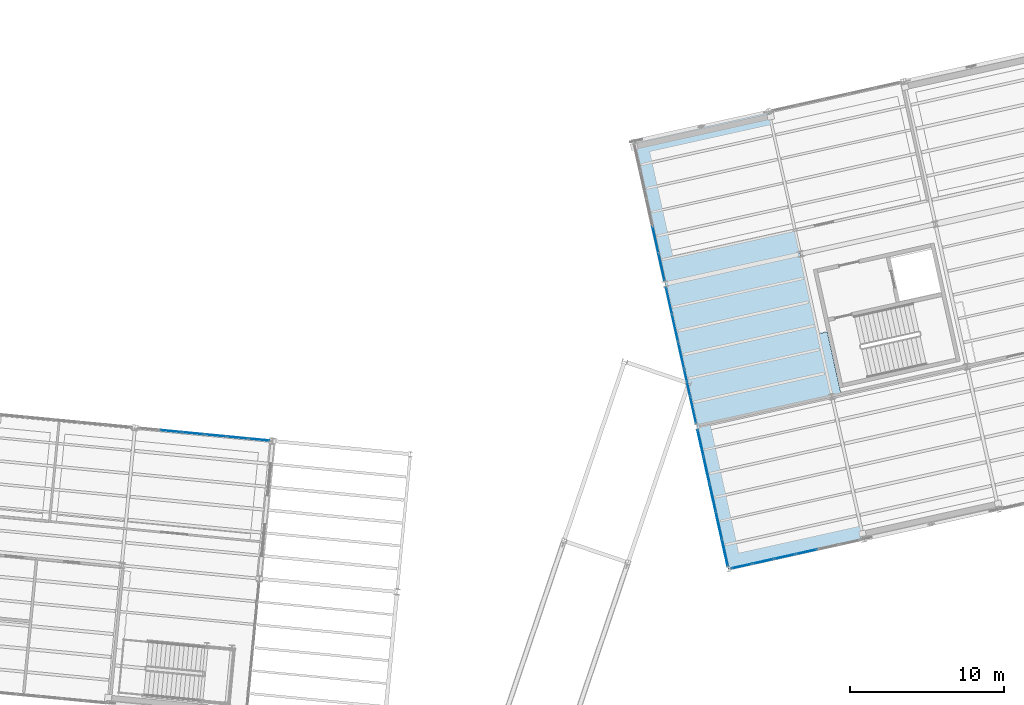
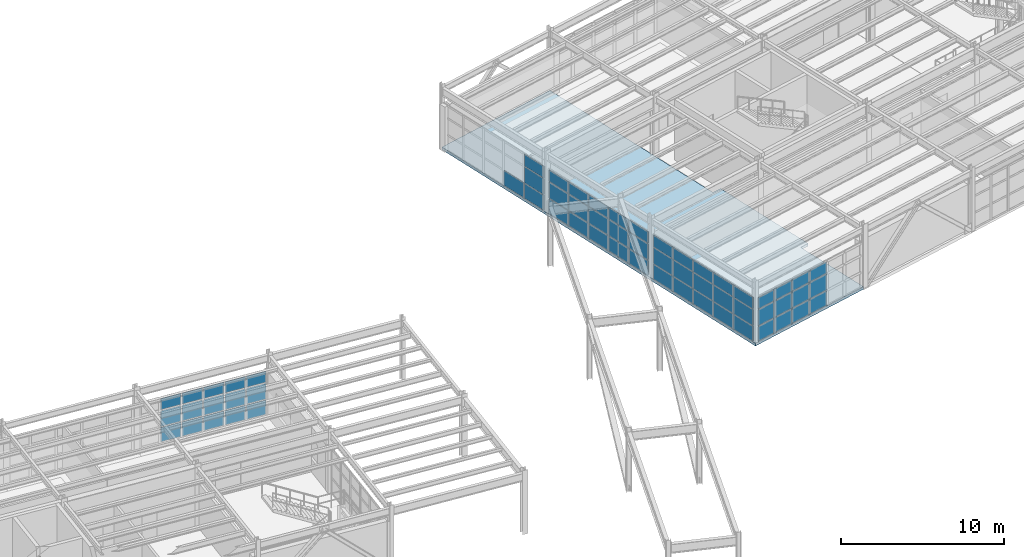
# One storey, part 72 of 109: 61 plates, 1 slab, 5 elements without a shape of their own.
"""IFC4 building model written with IfcOpenShell, lengths in metres."""

from ifc_helpers import new_model, si_unit, direction, frame, origin, origin_2d, place, context, subcontext, project, spatial, polyline, rectangle, outline, extrude, material, layer, layer_set, type_object, element, aggregate, save


model = new_model("IFC4")

# Units and contexts
model_context = context("Model", 3, precision=1e-05, world=origin(), true_north=direction((0.0, 1.0)))
body_context = subcontext(model_context, "Body", "Model", "MODEL_VIEW")
ifc_project = project(units=[si_unit("LENGTHUNIT", "METRE"), si_unit("AREAUNIT", "SQUARE_METRE"), si_unit("VOLUMEUNIT", "CUBIC_METRE"), si_unit("PLANEANGLEUNIT", "RADIAN"), si_unit("MASSUNIT", "GRAM", prefix="KILO")], contexts=[model_context])

# Site, building, storey
site_placement = place(None, origin())
site = spatial("IfcSite", under=ifc_project, at=site_placement, CompositionType="ELEMENT")
building_placement = place(site_placement, origin())
building = spatial("IfcBuilding", under=site, at=building_placement, Name="Vireo Bluff Cable Station", CompositionType="ELEMENT")
storey_placement = place(building_placement, frame((0.0, 0.0, 4.800048828125)))
storey = spatial("IfcBuildingStorey", under=building, at=storey_placement, Name="L01", CompositionType="ELEMENT", Elevation=4.800048828125)

# Curtain wall, plates
ifc_material_1 = material(Name="Anodized Aluminium 6063-T6", Category="aluminium")
ifc_layer_1 = layer(ifc_material_1, 0.159912109375, Name="Anodized Aluminium 6063-T6")
ifc_layer_set_1 = layer_set([ifc_layer_1], Name="Anodized Aluminium 6063-T6")
curtain_wall_type_1 = type_object("IfcCurtainWallType", Name="CW-STICK-1850", PredefinedType="USERDEFINED", material=ifc_layer_set_1)
curtain_wall_1_placement = place(storey_placement, origin())
curtain_wall_1 = element("IfcCurtainWall", 1, at=curtain_wall_1_placement, inside=storey, type_object=curtain_wall_type_1, Name="V2 L01 west curtain wall CW-045", ObjectType="STICK CURTAIN WALL", PredefinedType="USERDEFINED")
ifc_material_2 = material(Name="Laminated Low-E Insulated Glass", Category="glass")
ifc_layer_2 = layer(ifc_material_2, 0.028076171875, Name="Laminated Low-E Insulated Glass")
ifc_layer_set_2 = layer_set([ifc_layer_2], Name="Laminated Low-E Insulated Glass")
plate_type_1 = type_object("IfcPlateType", Name="CWP-28-1", PredefinedType="CURTAIN_PANEL", material=ifc_layer_set_2)
plate_1_placement = place(storey_placement, frame((123.702392578125, 84.364013671875, 0.0751953125), z_axis=(0.0, 0.0, 1.0), x_axis=(-0.21643964725, 0.976295999735, 0.0)))
plate_1 = element("IfcPlate", 2, at=plate_1_placement, type_object=plate_type_1, Name="CW-045 panel 1.1", PredefinedType="CURTAIN_PANEL", context=body_context, shape_type="SweptSolid", body=[
    extrude(rectangle(XDim=1.71435546875, YDim=0.028076171875, at=origin_2d()), origin(), (0.0, 0.0, 1.0), 1.077392578125),
])
plate_2_placement = place(storey_placement, frame((123.702392578125, 84.364013671875, 1.227294921875), z_axis=(0.0, 0.0, 1.0), x_axis=(-0.21643964725, 0.976295999735, 0.0)))
plate_2 = element("IfcPlate", 3, at=plate_2_placement, type_object=plate_type_1, Name="CW-045 panel 1.2", PredefinedType="CURTAIN_PANEL", context=body_context, shape_type="SweptSolid", body=[
    extrude(rectangle(XDim=1.71435546875, YDim=0.028076171875, at=origin_2d()), origin(), (0.0, 0.0, 1.0), 1.18310546875),
])
plate_3_placement = place(storey_placement, frame((123.702392578125, 84.364013671875, 2.4853515625), z_axis=(0.0, 0.0, 1.0), x_axis=(-0.21643964725, 0.976295999735, 0.0)))
plate_3 = element("IfcPlate", 4, at=plate_3_placement, type_object=plate_type_1, Name="CW-045 panel 1.3", PredefinedType="CURTAIN_PANEL", context=body_context, shape_type="SweptSolid", body=[
    extrude(rectangle(XDim=1.71435546875, YDim=0.028076171875, at=origin_2d()), origin(), (0.0, 0.0, 1.0), 0.839599609375),
])
plate_4_placement = place(storey_placement, frame((123.31103515625, 86.12939453125, 0.0751953125), z_axis=(0.0, 0.0, 1.0), x_axis=(-0.21643964725, 0.976295999735, 0.0)))
plate_4 = element("IfcPlate", 5, at=plate_4_placement, type_object=plate_type_1, Name="CW-045 panel 2.1", PredefinedType="CURTAIN_PANEL", context=body_context, shape_type="SweptSolid", body=[
    extrude(rectangle(XDim=1.751953125, YDim=0.028076171875, at=origin_2d()), origin(), (0.0, 0.0, 1.0), 1.077392578125),
])
plate_5_placement = place(storey_placement, frame((123.31103515625, 86.12939453125, 1.227294921875), z_axis=(0.0, 0.0, 1.0), x_axis=(-0.21643964725, 0.976295999735, 0.0)))
plate_5 = element("IfcPlate", 6, at=plate_5_placement, type_object=plate_type_1, Name="CW-045 panel 2.2", PredefinedType="CURTAIN_PANEL", context=body_context, shape_type="SweptSolid", body=[
    extrude(rectangle(XDim=1.751953125, YDim=0.028076171875, at=origin_2d()), origin(), (0.0, 0.0, 1.0), 1.18310546875),
])
plate_6_placement = place(storey_placement, frame((123.31103515625, 86.12939453125, 2.4853515625), z_axis=(0.0, 0.0, 1.0), x_axis=(-0.21643964725, 0.976295999735, 0.0)))
plate_6 = element("IfcPlate", 7, at=plate_6_placement, type_object=plate_type_1, Name="CW-045 panel 2.3", PredefinedType="CURTAIN_PANEL", context=body_context, shape_type="SweptSolid", body=[
    extrude(rectangle(XDim=1.751953125, YDim=0.028076171875, at=origin_2d()), origin(), (0.0, 0.0, 1.0), 0.839599609375),
])
plate_7_placement = place(storey_placement, frame((122.91552734375, 87.912841796875, 0.0751953125), z_axis=(0.0, 0.0, 1.0), x_axis=(-0.21643964725, 0.976295999735, 0.0)))
plate_7 = element("IfcPlate", 8, at=plate_7_placement, type_object=plate_type_1, Name="CW-045 panel 3.1", PredefinedType="CURTAIN_PANEL", context=body_context, shape_type="SweptSolid", body=[
    extrude(rectangle(XDim=1.751953125, YDim=0.028076171875, at=origin_2d()), origin(), (0.0, 0.0, 1.0), 1.077392578125),
])
plate_8_placement = place(storey_placement, frame((122.91552734375, 87.912841796875, 1.227294921875), z_axis=(0.0, 0.0, 1.0), x_axis=(-0.21643964725, 0.976295999735, 0.0)))
plate_8 = element("IfcPlate", 9, at=plate_8_placement, type_object=plate_type_1, Name="CW-045 panel 3.2", PredefinedType="CURTAIN_PANEL", context=body_context, shape_type="SweptSolid", body=[
    extrude(rectangle(XDim=1.751953125, YDim=0.028076171875, at=origin_2d()), origin(), (0.0, 0.0, 1.0), 1.18310546875),
])
plate_9_placement = place(storey_placement, frame((122.91552734375, 87.912841796875, 2.4853515625), z_axis=(0.0, 0.0, 1.0), x_axis=(-0.21643964725, 0.976295999735, 0.0)))
plate_9 = element("IfcPlate", 10, at=plate_9_placement, type_object=plate_type_1, Name="CW-045 panel 3.3", PredefinedType="CURTAIN_PANEL", context=body_context, shape_type="SweptSolid", body=[
    extrude(rectangle(XDim=1.751953125, YDim=0.028076171875, at=origin_2d()), origin(), (0.0, 0.0, 1.0), 0.839599609375),
])
plate_10_placement = place(storey_placement, frame((122.520263671875, 89.696533203125, 0.0751953125), z_axis=(0.0, 0.0, 1.0), x_axis=(-0.21643964725, 0.976295999735, 0.0)))
plate_10 = element("IfcPlate", 11, at=plate_10_placement, type_object=plate_type_1, Name="CW-045 panel 4.1", PredefinedType="CURTAIN_PANEL", context=body_context, shape_type="SweptSolid", body=[
    extrude(rectangle(XDim=1.751953125, YDim=0.028076171875, at=origin_2d()), origin(), (0.0, 0.0, 1.0), 1.077392578125),
])
plate_11_placement = place(storey_placement, frame((122.520263671875, 89.696533203125, 1.227294921875), z_axis=(0.0, 0.0, 1.0), x_axis=(-0.21643964725, 0.976295999735, 0.0)))
plate_11 = element("IfcPlate", 12, at=plate_11_placement, type_object=plate_type_1, Name="CW-045 panel 4.2", PredefinedType="CURTAIN_PANEL", context=body_context, shape_type="SweptSolid", body=[
    extrude(rectangle(XDim=1.751953125, YDim=0.028076171875, at=origin_2d()), origin(), (0.0, 0.0, 1.0), 1.18310546875),
])
plate_12_placement = place(storey_placement, frame((122.520263671875, 89.696533203125, 2.4853515625), z_axis=(0.0, 0.0, 1.0), x_axis=(-0.21643964725, 0.976295999735, 0.0)))
plate_12 = element("IfcPlate", 13, at=plate_12_placement, type_object=plate_type_1, Name="CW-045 panel 4.3", PredefinedType="CURTAIN_PANEL", context=body_context, shape_type="SweptSolid", body=[
    extrude(rectangle(XDim=1.751953125, YDim=0.028076171875, at=origin_2d()), origin(), (0.0, 0.0, 1.0), 0.839599609375),
])
plate_13_placement = place(storey_placement, frame((122.12890625, 91.4619140625, 0.0751953125), z_axis=(0.0, 0.0, 1.0), x_axis=(-0.21643964725, 0.976295999735, 0.0)))
plate_13 = element("IfcPlate", 14, at=plate_13_placement, type_object=plate_type_1, Name="CW-045 panel 5.1", PredefinedType="CURTAIN_PANEL", context=body_context, shape_type="SweptSolid", body=[
    extrude(rectangle(XDim=1.71435546875, YDim=0.028076171875, at=origin_2d()), origin(), (0.0, 0.0, 1.0), 1.077392578125),
])
plate_14_placement = place(storey_placement, frame((122.12890625, 91.4619140625, 1.227294921875), z_axis=(0.0, 0.0, 1.0), x_axis=(-0.21643964725, 0.976295999735, 0.0)))
plate_14 = element("IfcPlate", 15, at=plate_14_placement, type_object=plate_type_1, Name="CW-045 panel 5.2", PredefinedType="CURTAIN_PANEL", context=body_context, shape_type="SweptSolid", body=[
    extrude(rectangle(XDim=1.71435546875, YDim=0.028076171875, at=origin_2d()), origin(), (0.0, 0.0, 1.0), 1.18310546875),
])
plate_15_placement = place(storey_placement, frame((122.12890625, 91.4619140625, 2.4853515625), z_axis=(0.0, 0.0, 1.0), x_axis=(-0.21643964725, 0.976295999735, 0.0)))
plate_15 = element("IfcPlate", 16, at=plate_15_placement, type_object=plate_type_1, Name="CW-045 panel 5.3", PredefinedType="CURTAIN_PANEL", context=body_context, shape_type="SweptSolid", body=[
    extrude(rectangle(XDim=1.71435546875, YDim=0.028076171875, at=origin_2d()), origin(), (0.0, 0.0, 1.0), 0.839599609375),
])
aggregate(curtain_wall_1, [plate_1, plate_2, plate_3, plate_4, plate_5, plate_6, plate_7, plate_8, plate_9, plate_10, plate_11, plate_12, plate_13, plate_14, plate_15])

ifc_layer_3 = layer(ifc_material_1, 0.179931640625, Name="Anodized Aluminium 6063-T6")
ifc_layer_set_3 = layer_set([ifc_layer_3], Name="Anodized Aluminium 6063-T6")
curtain_wall_type_2 = type_object("IfcCurtainWallType", Name="CW-UNIT-1400", PredefinedType="USERDEFINED", material=ifc_layer_set_3)
curtain_wall_2_placement = place(storey_placement, origin())
curtain_wall_2 = element("IfcCurtainWall", 17, at=curtain_wall_2_placement, inside=storey, type_object=curtain_wall_type_2, Name="V3 L01 north curtain wall CW-075", ObjectType="UNITISED CURTAIN WALL", PredefinedType="USERDEFINED")
plate_16_placement = place(storey_placement, frame((89.727294921875, 82.9697265625, 0.080078125), z_axis=(0.0, 0.0, 1.0), x_axis=(0.995396195058, -0.095845786884, 0.0)))
plate_16 = element("IfcPlate", 18, at=plate_16_placement, type_object=plate_type_1, Name="CW-075 panel 2.1", PredefinedType="CURTAIN_PANEL", context=body_context, shape_type="SweptSolid", body=[
    extrude(rectangle(XDim=1.3671875, YDim=0.028076171875, at=origin_2d()), origin(), (0.0, 0.0, 1.0), 1.070068359375),
])
plate_17_placement = place(storey_placement, frame((89.727294921875, 82.9697265625, 1.22998046875), z_axis=(0.0, 0.0, 1.0), x_axis=(0.995396195058, -0.095845786884, 0.0)))
plate_17 = element("IfcPlate", 19, at=plate_17_placement, type_object=plate_type_1, Name="CW-075 panel 2.2", PredefinedType="CURTAIN_PANEL", context=body_context, shape_type="SweptSolid", body=[
    extrude(rectangle(XDim=1.3671875, YDim=0.028076171875, at=origin_2d()), origin(), (0.0, 0.0, 1.0), 1.177978515625),
])
plate_18_placement = place(storey_placement, frame((89.727294921875, 82.9697265625, 2.488037109375), z_axis=(0.0, 0.0, 1.0), x_axis=(0.995396195058, -0.095845786884, 0.0)))
plate_18 = element("IfcPlate", 20, at=plate_18_placement, type_object=plate_type_1, Name="CW-075 panel 2.3", PredefinedType="CURTAIN_PANEL", context=body_context, shape_type="SweptSolid", body=[
    extrude(rectangle(XDim=1.3671875, YDim=0.028076171875, at=origin_2d()), origin(), (0.0, 0.0, 1.0), 0.83203125),
])
plate_19_placement = place(storey_placement, frame((91.167724609375, 82.8310546875, 0.080078125), z_axis=(0.0, 0.0, 1.0), x_axis=(0.995396195058, -0.095845786884, 0.0)))
plate_19 = element("IfcPlate", 21, at=plate_19_placement, type_object=plate_type_1, Name="CW-075 panel 3.1", PredefinedType="CURTAIN_PANEL", context=body_context, shape_type="SweptSolid", body=[
    extrude(rectangle(XDim=1.3671875, YDim=0.028076171875, at=origin_2d()), origin(), (0.0, 0.0, 1.0), 1.070068359375),
])
plate_20_placement = place(storey_placement, frame((91.167724609375, 82.8310546875, 1.22998046875), z_axis=(0.0, 0.0, 1.0), x_axis=(0.995396195058, -0.095845786884, 0.0)))
plate_20 = element("IfcPlate", 22, at=plate_20_placement, type_object=plate_type_1, Name="CW-075 panel 3.2", PredefinedType="CURTAIN_PANEL", context=body_context, shape_type="SweptSolid", body=[
    extrude(rectangle(XDim=1.3671875, YDim=0.028076171875, at=origin_2d()), origin(), (0.0, 0.0, 1.0), 1.177978515625),
])
plate_21_placement = place(storey_placement, frame((91.167724609375, 82.8310546875, 2.488037109375), z_axis=(0.0, 0.0, 1.0), x_axis=(0.995396195058, -0.095845786884, 0.0)))
plate_21 = element("IfcPlate", 23, at=plate_21_placement, type_object=plate_type_1, Name="CW-075 panel 3.3", PredefinedType="CURTAIN_PANEL", context=body_context, shape_type="SweptSolid", body=[
    extrude(rectangle(XDim=1.3671875, YDim=0.028076171875, at=origin_2d()), origin(), (0.0, 0.0, 1.0), 0.83203125),
])
plate_22_placement = place(storey_placement, frame((92.608154296875, 82.6923828125, 0.080078125), z_axis=(0.0, 0.0, 1.0), x_axis=(0.995396195058, -0.095845786884, 0.0)))
plate_22 = element("IfcPlate", 24, at=plate_22_placement, type_object=plate_type_1, Name="CW-075 panel 4.1", PredefinedType="CURTAIN_PANEL", context=body_context, shape_type="SweptSolid", body=[
    extrude(rectangle(XDim=1.3671875, YDim=0.028076171875, at=origin_2d()), origin(), (0.0, 0.0, 1.0), 1.070068359375),
])
plate_23_placement = place(storey_placement, frame((92.608154296875, 82.6923828125, 1.22998046875), z_axis=(0.0, 0.0, 1.0), x_axis=(0.995396195058, -0.095845786884, 0.0)))
plate_23 = element("IfcPlate", 25, at=plate_23_placement, type_object=plate_type_1, Name="CW-075 panel 4.2", PredefinedType="CURTAIN_PANEL", context=body_context, shape_type="SweptSolid", body=[
    extrude(rectangle(XDim=1.3671875, YDim=0.028076171875, at=origin_2d()), origin(), (0.0, 0.0, 1.0), 1.177978515625),
])
plate_24_placement = place(storey_placement, frame((92.608154296875, 82.6923828125, 2.488037109375), z_axis=(0.0, 0.0, 1.0), x_axis=(0.995396195058, -0.095845786884, 0.0)))
plate_24 = element("IfcPlate", 26, at=plate_24_placement, type_object=plate_type_1, Name="CW-075 panel 4.3", PredefinedType="CURTAIN_PANEL", context=body_context, shape_type="SweptSolid", body=[
    extrude(rectangle(XDim=1.3671875, YDim=0.028076171875, at=origin_2d()), origin(), (0.0, 0.0, 1.0), 0.83203125),
])
plate_25_placement = place(storey_placement, frame((94.048583984375, 82.5537109375, 0.080078125), z_axis=(0.0, 0.0, 1.0), x_axis=(0.995396195058, -0.095845786884, 0.0)))
plate_25 = element("IfcPlate", 27, at=plate_25_placement, type_object=plate_type_1, Name="CW-075 panel 5.1", PredefinedType="CURTAIN_PANEL", context=body_context, shape_type="SweptSolid", body=[
    extrude(rectangle(XDim=1.3671875, YDim=0.028076171875, at=origin_2d()), origin(), (0.0, 0.0, 1.0), 1.070068359375),
])
plate_26_placement = place(storey_placement, frame((94.048583984375, 82.5537109375, 1.22998046875), z_axis=(0.0, 0.0, 1.0), x_axis=(0.995396195058, -0.095845786884, 0.0)))
plate_26 = element("IfcPlate", 28, at=plate_26_placement, type_object=plate_type_1, Name="CW-075 panel 5.2", PredefinedType="CURTAIN_PANEL", context=body_context, shape_type="SweptSolid", body=[
    extrude(rectangle(XDim=1.3671875, YDim=0.028076171875, at=origin_2d()), origin(), (0.0, 0.0, 1.0), 1.177978515625),
])
plate_27_placement = place(storey_placement, frame((94.048583984375, 82.5537109375, 2.488037109375), z_axis=(0.0, 0.0, 1.0), x_axis=(0.995396195058, -0.095845786884, 0.0)))
plate_27 = element("IfcPlate", 29, at=plate_27_placement, type_object=plate_type_1, Name="CW-075 panel 5.3", PredefinedType="CURTAIN_PANEL", context=body_context, shape_type="SweptSolid", body=[
    extrude(rectangle(XDim=1.3671875, YDim=0.028076171875, at=origin_2d()), origin(), (0.0, 0.0, 1.0), 0.83203125),
])
plate_28_placement = place(storey_placement, frame((95.468994140625, 82.4169921875, 0.080078125), z_axis=(0.0, 0.0, 1.0), x_axis=(0.995396195058, -0.095845786884, 0.0)))
plate_28 = element("IfcPlate", 30, at=plate_28_placement, type_object=plate_type_1, Name="CW-075 panel 6.1", PredefinedType="CURTAIN_PANEL", context=body_context, shape_type="SweptSolid", body=[
    extrude(rectangle(XDim=1.3271484375, YDim=0.028076171875, at=origin_2d()), origin(), (0.0, 0.0, 1.0), 1.070068359375),
])
plate_29_placement = place(storey_placement, frame((95.468994140625, 82.4169921875, 1.22998046875), z_axis=(0.0, 0.0, 1.0), x_axis=(0.995396195058, -0.095845786884, 0.0)))
plate_29 = element("IfcPlate", 31, at=plate_29_placement, type_object=plate_type_1, Name="CW-075 panel 6.2", PredefinedType="CURTAIN_PANEL", context=body_context, shape_type="SweptSolid", body=[
    extrude(rectangle(XDim=1.3271484375, YDim=0.028076171875, at=origin_2d()), origin(), (0.0, 0.0, 1.0), 1.177978515625),
])
plate_30_placement = place(storey_placement, frame((95.468994140625, 82.4169921875, 2.488037109375), z_axis=(0.0, 0.0, 1.0), x_axis=(0.995396195058, -0.095845786884, 0.0)))
plate_30 = element("IfcPlate", 32, at=plate_30_placement, type_object=plate_type_1, Name="CW-075 panel 6.3", PredefinedType="CURTAIN_PANEL", context=body_context, shape_type="SweptSolid", body=[
    extrude(rectangle(XDim=1.3271484375, YDim=0.028076171875, at=origin_2d()), origin(), (0.0, 0.0, 1.0), 0.83203125),
])
aggregate(curtain_wall_2, [plate_16, plate_17, plate_18, plate_19, plate_20, plate_21, plate_22, plate_23, plate_24, plate_25, plate_26, plate_27, plate_28, plate_29, plate_30])

ifc_layer_4 = layer(ifc_material_1, 0.159912109375, Name="Anodized Aluminium 6063-T6")
ifc_layer_set_4 = layer_set([ifc_layer_4], Name="Anodized Aluminium 6063-T6")
curtain_wall_type_3 = type_object("IfcCurtainWallType", Name="CW-STICK-1750", PredefinedType="USERDEFINED", material=ifc_layer_set_4)
curtain_wall_3_placement = place(storey_placement, origin())
curtain_wall_3 = element("IfcCurtainWall", 33, at=curtain_wall_3_placement, inside=storey, type_object=curtain_wall_type_3, Name="V2 L01 west curtain wall CW-046", ObjectType="STICK CURTAIN WALL", PredefinedType="USERDEFINED")
ifc_layer_5 = layer(ifc_material_2, 0.031982421875, Name="Laminated Low-E Insulated Glass")
ifc_layer_set_5 = layer_set([ifc_layer_5], Name="Laminated Low-E Insulated Glass")
plate_type_2 = type_object("IfcPlateType", Name="CWP-32-2", PredefinedType="CURTAIN_PANEL", material=ifc_layer_set_5)
plate_31_placement = place(storey_placement, frame((121.646240234375, 93.638916015625, 0.059814453125), z_axis=(0.0, 0.0, 1.0), x_axis=(-0.216439589418, 0.976296012556, 0.0)))
plate_31 = element("IfcPlate", 34, at=plate_31_placement, type_object=plate_type_2, Name="CW-046 panel 1.1", PredefinedType="CURTAIN_PANEL", context=body_context, shape_type="SweptSolid", body=[
    extrude(rectangle(XDim=1.74755859375, YDim=0.031982421875, at=origin_2d()), origin(), (0.0, 0.0, 1.0), 1.10009765625),
])
plate_32_placement = place(storey_placement, frame((121.646240234375, 93.638916015625, 1.2197265625), z_axis=(0.0, 0.0, 1.0), x_axis=(-0.216439589418, 0.976296012556, 0.0)))
plate_32 = element("IfcPlate", 35, at=plate_32_placement, type_object=plate_type_2, Name="CW-046 panel 1.2", PredefinedType="CURTAIN_PANEL", context=body_context, shape_type="SweptSolid", body=[
    extrude(rectangle(XDim=1.74755859375, YDim=0.031982421875, at=origin_2d()), origin(), (0.0, 0.0, 1.0), 1.197998046875),
])
plate_33_placement = place(storey_placement, frame((121.646240234375, 93.638916015625, 2.47802734375), z_axis=(0.0, 0.0, 1.0), x_axis=(-0.216439589418, 0.976296012556, 0.0)))
plate_33 = element("IfcPlate", 36, at=plate_33_placement, type_object=plate_type_2, Name="CW-046 panel 1.3", PredefinedType="CURTAIN_PANEL", context=body_context, shape_type="SweptSolid", body=[
    extrude(rectangle(XDim=1.74755859375, YDim=0.031982421875, at=origin_2d()), origin(), (0.0, 0.0, 1.0), 0.862060546875),
])
plate_34_placement = place(storey_placement, frame((121.251708984375, 95.41845703125, 0.059814453125), z_axis=(0.0, 0.0, 1.0), x_axis=(-0.216439589418, 0.976296012556, 0.0)))
plate_34 = element("IfcPlate", 37, at=plate_34_placement, type_object=plate_type_2, Name="CW-046 panel 2.1", PredefinedType="CURTAIN_PANEL", context=body_context, shape_type="SweptSolid", body=[
    extrude(rectangle(XDim=1.777587890625, YDim=0.031982421875, at=origin_2d()), origin(), (0.0, 0.0, 1.0), 1.10009765625),
])
aggregate(curtain_wall_3, [plate_31, plate_32, plate_33, plate_34])

ifc_layer_6 = layer(ifc_material_1, 0.179931640625, Name="Anodized Aluminium 6063-T6")
ifc_layer_set_6 = layer_set([ifc_layer_6], Name="Anodized Aluminium 6063-T6")
curtain_wall_type_4 = type_object("IfcCurtainWallType", Name="CW-UNIT-1500", PredefinedType="USERDEFINED", material=ifc_layer_set_6)
curtain_wall_4_placement = place(storey_placement, origin())
curtain_wall_4 = element("IfcCurtainWall", 38, at=curtain_wall_4_placement, inside=storey, type_object=curtain_wall_type_4, Name="V2 L01 south curtain wall CW-043", ObjectType="UNITISED CURTAIN WALL", PredefinedType="USERDEFINED")
ifc_material_3 = material(Name="Insulated Spandrel Glass Panel", Category="glass")
ifc_layer_7 = layer(ifc_material_3, 0.0419921875, Name="Insulated Spandrel Glass Panel")
ifc_layer_set_7 = layer_set([ifc_layer_7], Name="Insulated Spandrel Glass Panel")
plate_type_3 = type_object("IfcPlateType", Name="CWP-42-4", PredefinedType="CURTAIN_PANEL", material=ifc_layer_set_7)
plate_35_placement = place(storey_placement, frame((131.071533203125, 75.124267578125, 0.080078125), z_axis=(0.0, 0.0, 1.0), x_axis=(-0.976296024459, -0.216439535726, 0.0)))
plate_35 = element("IfcPlate", 39, at=plate_35_placement, type_object=plate_type_3, Name="CW-043 panel 3.1", PredefinedType="CURTAIN_PANEL", context=body_context, shape_type="SweptSolid", body=[
    extrude(rectangle(XDim=1.367431640625, YDim=0.0419921875, at=origin_2d()), origin(), (0.0, 0.0, 1.0), 1.070068359375),
])
plate_36_placement = place(storey_placement, frame((131.071533203125, 75.124267578125, 1.22998046875), z_axis=(0.0, 0.0, 1.0), x_axis=(-0.976296024459, -0.216439535726, 0.0)))
plate_36 = element("IfcPlate", 40, at=plate_36_placement, type_object=plate_type_3, Name="CW-043 panel 3.2", PredefinedType="CURTAIN_PANEL", context=body_context, shape_type="SweptSolid", body=[
    extrude(rectangle(XDim=1.367431640625, YDim=0.0419921875, at=origin_2d()), origin(), (0.0, 0.0, 1.0), 1.177978515625),
])
plate_37_placement = place(storey_placement, frame((131.071533203125, 75.124267578125, 2.488037109375), z_axis=(0.0, 0.0, 1.0), x_axis=(-0.976296024459, -0.216439535726, 0.0)))
plate_37 = element("IfcPlate", 41, at=plate_37_placement, type_object=plate_type_3, Name="CW-043 panel 3.3", PredefinedType="CURTAIN_PANEL", context=body_context, shape_type="SweptSolid", body=[
    extrude(rectangle(XDim=1.367431640625, YDim=0.0419921875, at=origin_2d()), origin(), (0.0, 0.0, 1.0), 0.83203125),
])
plate_38_placement = place(storey_placement, frame((129.658447265625, 74.81103515625, 0.080078125), z_axis=(0.0, 0.0, 1.0), x_axis=(-0.976296024459, -0.216439535726, 0.0)))
plate_38 = element("IfcPlate", 42, at=plate_38_placement, type_object=plate_type_3, Name="CW-043 panel 4.1", PredefinedType="CURTAIN_PANEL", context=body_context, shape_type="SweptSolid", body=[
    extrude(rectangle(XDim=1.367431640625, YDim=0.0419921875, at=origin_2d()), origin(), (0.0, 0.0, 1.0), 1.070068359375),
])
plate_39_placement = place(storey_placement, frame((129.658447265625, 74.81103515625, 1.22998046875), z_axis=(0.0, 0.0, 1.0), x_axis=(-0.976296024459, -0.216439535726, 0.0)))
plate_39 = element("IfcPlate", 43, at=plate_39_placement, type_object=plate_type_3, Name="CW-043 panel 4.2", PredefinedType="CURTAIN_PANEL", context=body_context, shape_type="SweptSolid", body=[
    extrude(rectangle(XDim=1.367431640625, YDim=0.0419921875, at=origin_2d()), origin(), (0.0, 0.0, 1.0), 1.177978515625),
])
plate_40_placement = place(storey_placement, frame((129.658447265625, 74.81103515625, 2.488037109375), z_axis=(0.0, 0.0, 1.0), x_axis=(-0.976296024459, -0.216439535726, 0.0)))
plate_40 = element("IfcPlate", 44, at=plate_40_placement, type_object=plate_type_3, Name="CW-043 panel 4.3", PredefinedType="CURTAIN_PANEL", context=body_context, shape_type="SweptSolid", body=[
    extrude(rectangle(XDim=1.367431640625, YDim=0.0419921875, at=origin_2d()), origin(), (0.0, 0.0, 1.0), 0.83203125),
])
plate_41_placement = place(storey_placement, frame((128.245361328125, 74.497802734375, 0.080078125), z_axis=(0.0, 0.0, 1.0), x_axis=(-0.976296024459, -0.216439535726, 0.0)))
plate_41 = element("IfcPlate", 45, at=plate_41_placement, type_object=plate_type_3, Name="CW-043 panel 5.1", PredefinedType="CURTAIN_PANEL", context=body_context, shape_type="SweptSolid", body=[
    extrude(rectangle(XDim=1.367431640625, YDim=0.0419921875, at=origin_2d()), origin(), (0.0, 0.0, 1.0), 1.070068359375),
])
plate_42_placement = place(storey_placement, frame((128.245361328125, 74.497802734375, 1.22998046875), z_axis=(0.0, 0.0, 1.0), x_axis=(-0.976296024459, -0.216439535726, 0.0)))
plate_42 = element("IfcPlate", 46, at=plate_42_placement, type_object=plate_type_3, Name="CW-043 panel 5.2", PredefinedType="CURTAIN_PANEL", context=body_context, shape_type="SweptSolid", body=[
    extrude(rectangle(XDim=1.367431640625, YDim=0.0419921875, at=origin_2d()), origin(), (0.0, 0.0, 1.0), 1.177978515625),
])
plate_43_placement = place(storey_placement, frame((128.245361328125, 74.497802734375, 2.488037109375), z_axis=(0.0, 0.0, 1.0), x_axis=(-0.976296024459, -0.216439535726, 0.0)))
plate_43 = element("IfcPlate", 47, at=plate_43_placement, type_object=plate_type_3, Name="CW-043 panel 5.3", PredefinedType="CURTAIN_PANEL", context=body_context, shape_type="SweptSolid", body=[
    extrude(rectangle(XDim=1.367431640625, YDim=0.0419921875, at=origin_2d()), origin(), (0.0, 0.0, 1.0), 0.83203125),
])
plate_44_placement = place(storey_placement, frame((126.85205078125, 74.18896484375, 0.080078125), z_axis=(0.0, 0.0, 1.0), x_axis=(-0.976296024459, -0.216439535726, 0.0)))
plate_44 = element("IfcPlate", 48, at=plate_44_placement, type_object=plate_type_3, Name="CW-043 panel 6.1", PredefinedType="CURTAIN_PANEL", context=body_context, shape_type="SweptSolid", body=[
    extrude(rectangle(XDim=1.327392578125, YDim=0.0419921875, at=origin_2d()), origin(), (0.0, 0.0, 1.0), 1.070068359375),
])
plate_45_placement = place(storey_placement, frame((126.85205078125, 74.18896484375, 1.22998046875), z_axis=(0.0, 0.0, 1.0), x_axis=(-0.976296024459, -0.216439535726, 0.0)))
plate_45 = element("IfcPlate", 49, at=plate_45_placement, type_object=plate_type_3, Name="CW-043 panel 6.2", PredefinedType="CURTAIN_PANEL", context=body_context, shape_type="SweptSolid", body=[
    extrude(rectangle(XDim=1.327392578125, YDim=0.0419921875, at=origin_2d()), origin(), (0.0, 0.0, 1.0), 1.177978515625),
])
plate_46_placement = place(storey_placement, frame((126.85205078125, 74.18896484375, 2.488037109375), z_axis=(0.0, 0.0, 1.0), x_axis=(-0.976296024459, -0.216439535726, 0.0)))
plate_46 = element("IfcPlate", 50, at=plate_46_placement, type_object=plate_type_3, Name="CW-043 panel 6.3", PredefinedType="CURTAIN_PANEL", context=body_context, shape_type="SweptSolid", body=[
    extrude(rectangle(XDim=1.327392578125, YDim=0.0419921875, at=origin_2d()), origin(), (0.0, 0.0, 1.0), 0.83203125),
])
aggregate(curtain_wall_4, [plate_35, plate_36, plate_37, plate_38, plate_39, plate_40, plate_41, plate_42, plate_43, plate_44, plate_45, plate_46])

curtain_wall_5_placement = place(storey_placement, origin())
curtain_wall_5 = element("IfcCurtainWall", 51, at=curtain_wall_5_placement, inside=storey, type_object=curtain_wall_type_3, Name="V2 L01 west curtain wall CW-044", ObjectType="STICK CURTAIN WALL", PredefinedType="USERDEFINED")
ifc_layer_8 = layer(ifc_material_3, 0.048095703125, Name="Insulated Spandrel Glass Panel")
ifc_layer_set_8 = layer_set([ifc_layer_8], Name="Insulated Spandrel Glass Panel")
plate_type_4 = type_object("IfcPlateType", Name="CWP-48-5", PredefinedType="CURTAIN_PANEL", material=ifc_layer_set_8)
plate_47_placement = place(storey_placement, frame((125.76416015625, 75.0634765625, 0.06494140625), z_axis=(0.0, 0.0, 1.0), x_axis=(-0.216439634317, 0.976296002602, 0.0)))
plate_47 = element("IfcPlate", 52, at=plate_47_placement, type_object=plate_type_4, Name="CW-044 panel 1.1", PredefinedType="CURTAIN_PANEL", context=body_context, shape_type="SweptSolid", body=[
    extrude(rectangle(XDim=1.734375, YDim=0.048095703125, at=origin_2d()), origin(), (0.0, 0.0, 1.0), 1.092529296875),
])
plate_48_placement = place(storey_placement, frame((125.76416015625, 75.0634765625, 1.22216796875), z_axis=(0.0, 0.0, 1.0), x_axis=(-0.216439634317, 0.976296002602, 0.0)))
plate_48 = element("IfcPlate", 53, at=plate_48_placement, type_object=plate_type_4, Name="CW-044 panel 1.2", PredefinedType="CURTAIN_PANEL", context=body_context, shape_type="SweptSolid", body=[
    extrude(rectangle(XDim=1.734375, YDim=0.048095703125, at=origin_2d()), origin(), (0.0, 0.0, 1.0), 1.193115234375),
])
plate_49_placement = place(storey_placement, frame((125.76416015625, 75.0634765625, 2.48046875), z_axis=(0.0, 0.0, 1.0), x_axis=(-0.216439634317, 0.976296002602, 0.0)))
plate_49 = element("IfcPlate", 54, at=plate_49_placement, type_object=plate_type_4, Name="CW-044 panel 1.3", PredefinedType="CURTAIN_PANEL", context=body_context, shape_type="SweptSolid", body=[
    extrude(rectangle(XDim=1.734375, YDim=0.048095703125, at=origin_2d()), origin(), (0.0, 0.0, 1.0), 0.8544921875),
])
plate_50_placement = place(storey_placement, frame((125.371337890625, 76.8359375, 0.06494140625), z_axis=(0.0, 0.0, 1.0), x_axis=(-0.216439634317, 0.976296002602, 0.0)))
plate_50 = element("IfcPlate", 55, at=plate_50_placement, type_object=plate_type_4, Name="CW-044 panel 2.1", PredefinedType="CURTAIN_PANEL", context=body_context, shape_type="SweptSolid", body=[
    extrude(rectangle(XDim=1.766845703125, YDim=0.048095703125, at=origin_2d()), origin(), (0.0, 0.0, 1.0), 1.092529296875),
])
plate_51_placement = place(storey_placement, frame((125.371337890625, 76.8359375, 1.22216796875), z_axis=(0.0, 0.0, 1.0), x_axis=(-0.216439634317, 0.976296002602, 0.0)))
plate_51 = element("IfcPlate", 56, at=plate_51_placement, type_object=plate_type_4, Name="CW-044 panel 2.2", PredefinedType="CURTAIN_PANEL", context=body_context, shape_type="SweptSolid", body=[
    extrude(rectangle(XDim=1.766845703125, YDim=0.048095703125, at=origin_2d()), origin(), (0.0, 0.0, 1.0), 1.193115234375),
])
plate_52_placement = place(storey_placement, frame((125.371337890625, 76.8359375, 2.48046875), z_axis=(0.0, 0.0, 1.0), x_axis=(-0.216439634317, 0.976296002602, 0.0)))
plate_52 = element("IfcPlate", 57, at=plate_52_placement, type_object=plate_type_4, Name="CW-044 panel 2.3", PredefinedType="CURTAIN_PANEL", context=body_context, shape_type="SweptSolid", body=[
    extrude(rectangle(XDim=1.766845703125, YDim=0.048095703125, at=origin_2d()), origin(), (0.0, 0.0, 1.0), 0.8544921875),
])
plate_53_placement = place(storey_placement, frame((124.974853515625, 78.62451171875, 0.06494140625), z_axis=(0.0, 0.0, 1.0), x_axis=(-0.216439634317, 0.976296002602, 0.0)))
plate_53 = element("IfcPlate", 58, at=plate_53_placement, type_object=plate_type_4, Name="CW-044 panel 3.1", PredefinedType="CURTAIN_PANEL", context=body_context, shape_type="SweptSolid", body=[
    extrude(rectangle(XDim=1.766845703125, YDim=0.048095703125, at=origin_2d()), origin(), (0.0, 0.0, 1.0), 1.092529296875),
])
plate_54_placement = place(storey_placement, frame((124.974853515625, 78.62451171875, 1.22216796875), z_axis=(0.0, 0.0, 1.0), x_axis=(-0.216439634317, 0.976296002602, 0.0)))
plate_54 = element("IfcPlate", 59, at=plate_54_placement, type_object=plate_type_4, Name="CW-044 panel 3.2", PredefinedType="CURTAIN_PANEL", context=body_context, shape_type="SweptSolid", body=[
    extrude(rectangle(XDim=1.766845703125, YDim=0.048095703125, at=origin_2d()), origin(), (0.0, 0.0, 1.0), 1.193115234375),
])
plate_55_placement = place(storey_placement, frame((124.974853515625, 78.62451171875, 2.48046875), z_axis=(0.0, 0.0, 1.0), x_axis=(-0.216439634317, 0.976296002602, 0.0)))
plate_55 = element("IfcPlate", 60, at=plate_55_placement, type_object=plate_type_4, Name="CW-044 panel 3.3", PredefinedType="CURTAIN_PANEL", context=body_context, shape_type="SweptSolid", body=[
    extrude(rectangle(XDim=1.766845703125, YDim=0.048095703125, at=origin_2d()), origin(), (0.0, 0.0, 1.0), 0.8544921875),
])
plate_56_placement = place(storey_placement, frame((124.578369140625, 80.412841796875, 0.06494140625), z_axis=(0.0, 0.0, 1.0), x_axis=(-0.216439634317, 0.976296002602, 0.0)))
plate_56 = element("IfcPlate", 61, at=plate_56_placement, type_object=plate_type_4, Name="CW-044 panel 4.1", PredefinedType="CURTAIN_PANEL", context=body_context, shape_type="SweptSolid", body=[
    extrude(rectangle(XDim=1.766845703125, YDim=0.048095703125, at=origin_2d()), origin(), (0.0, 0.0, 1.0), 1.092529296875),
])
plate_57_placement = place(storey_placement, frame((124.578369140625, 80.412841796875, 1.22216796875), z_axis=(0.0, 0.0, 1.0), x_axis=(-0.216439634317, 0.976296002602, 0.0)))
plate_57 = element("IfcPlate", 62, at=plate_57_placement, type_object=plate_type_4, Name="CW-044 panel 4.2", PredefinedType="CURTAIN_PANEL", context=body_context, shape_type="SweptSolid", body=[
    extrude(rectangle(XDim=1.766845703125, YDim=0.048095703125, at=origin_2d()), origin(), (0.0, 0.0, 1.0), 1.193115234375),
])
plate_58_placement = place(storey_placement, frame((124.578369140625, 80.412841796875, 2.48046875), z_axis=(0.0, 0.0, 1.0), x_axis=(-0.216439634317, 0.976296002602, 0.0)))
plate_58 = element("IfcPlate", 63, at=plate_58_placement, type_object=plate_type_4, Name="CW-044 panel 4.3", PredefinedType="CURTAIN_PANEL", context=body_context, shape_type="SweptSolid", body=[
    extrude(rectangle(XDim=1.766845703125, YDim=0.048095703125, at=origin_2d()), origin(), (0.0, 0.0, 1.0), 0.8544921875),
])
plate_59_placement = place(storey_placement, frame((124.185302734375, 82.185546875, 0.06494140625), z_axis=(0.0, 0.0, 1.0), x_axis=(-0.216439634317, 0.976296002602, 0.0)))
plate_59 = element("IfcPlate", 64, at=plate_59_placement, type_object=plate_type_4, Name="CW-044 panel 5.1", PredefinedType="CURTAIN_PANEL", context=body_context, shape_type="SweptSolid", body=[
    extrude(rectangle(XDim=1.734375, YDim=0.048095703125, at=origin_2d()), origin(), (0.0, 0.0, 1.0), 1.092529296875),
])
plate_60_placement = place(storey_placement, frame((124.185302734375, 82.185546875, 1.22216796875), z_axis=(0.0, 0.0, 1.0), x_axis=(-0.216439634317, 0.976296002602, 0.0)))
plate_60 = element("IfcPlate", 65, at=plate_60_placement, type_object=plate_type_4, Name="CW-044 panel 5.2", PredefinedType="CURTAIN_PANEL", context=body_context, shape_type="SweptSolid", body=[
    extrude(rectangle(XDim=1.734375, YDim=0.048095703125, at=origin_2d()), origin(), (0.0, 0.0, 1.0), 1.193115234375),
])
plate_61_placement = place(storey_placement, frame((124.185302734375, 82.185546875, 2.48046875), z_axis=(0.0, 0.0, 1.0), x_axis=(-0.216439634317, 0.976296002602, 0.0)))
plate_61 = element("IfcPlate", 66, at=plate_61_placement, type_object=plate_type_4, Name="CW-044 panel 5.3", PredefinedType="CURTAIN_PANEL", context=body_context, shape_type="SweptSolid", body=[
    extrude(rectangle(XDim=1.734375, YDim=0.048095703125, at=origin_2d()), origin(), (0.0, 0.0, 1.0), 0.8544921875),
])
aggregate(curtain_wall_5, [plate_47, plate_48, plate_49, plate_50, plate_51, plate_52, plate_53, plate_54, plate_55, plate_56, plate_57, plate_58, plate_59, plate_60, plate_61])

# Slab
ifc_material_4 = material(Name="Concrete f'c 40 MPa", Category="concrete")
ifc_layer_9 = layer(ifc_material_4, 0.199951171875, Name="Concrete f'c 40 MPa")
ifc_layer_set_9 = layer_set([ifc_layer_9], Name="Concrete f'c 40 MPa")
slab_type = type_object("IfcSlabType", Name="FLOORSLAB-200", PredefinedType="FLOOR", material=ifc_layer_set_9)
slab_placement = place(storey_placement, frame((0.0, 0.0, -0.199951171875)))
element("IfcSlab", 67, at=slab_placement, inside=storey, type_object=slab_type, Name="V2 L01 floor slab bay 1", PredefinedType="FLOOR", context=body_context, shape_type="SweptSolid", body=[
    extrude(outline(polyline([(126.0, 74.0), (134.77685546875, 75.94580078125), (133.543212890625, 81.5107421875), (134.1484375, 81.644775390625), (132.42138671875, 89.435791015625), (131.81591796875, 89.301513671875), (128.6083984375, 103.770263671875), (119.83154296875, 101.824462890625), (126.0, 74.0)])), origin(), (0.0, 0.0, 1.0), 0.199951171875),
])

save(model, "model.ifc")
